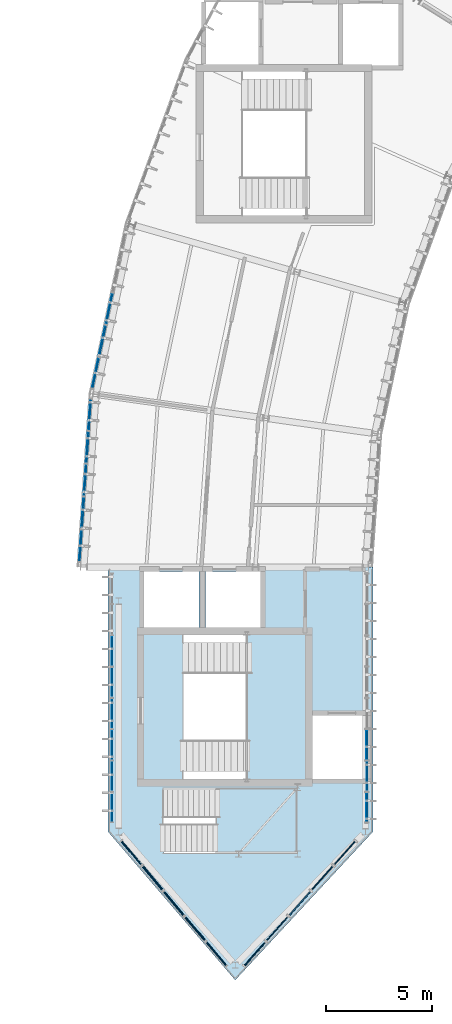
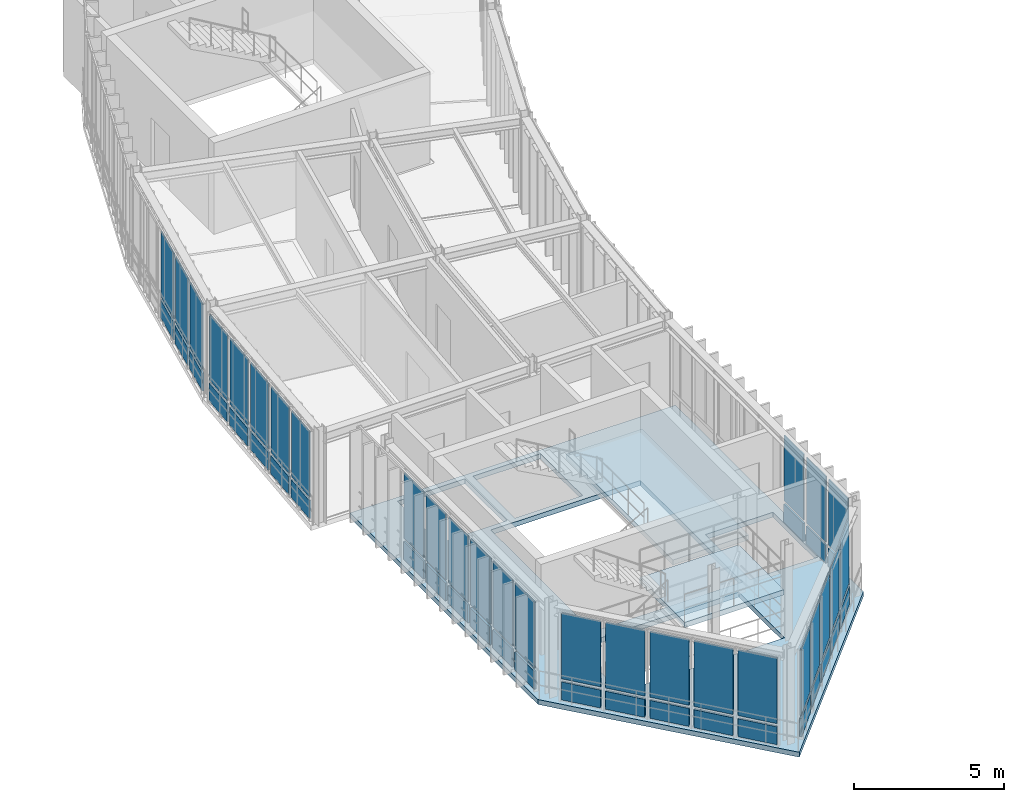
# One storey, part 16 of 42: 54 plates, 3 slabs, 8 elements without a shape of their own.
"""IFC4 building model written with IfcOpenShell, lengths in metres."""

from ifc_helpers import new_model, si_unit, direction, frame, origin, origin_2d, place, context, subcontext, project, spatial, polyline, rectangle, outline, extrude, material, layer, layer_set, type_object, element, aggregate, save


model = new_model("IFC4")

# Units and contexts
model_context = context("Model", 3, precision=1e-05, world=origin(), true_north=direction((0.0, 1.0)))
body_context = subcontext(model_context, "Body", "Model", "MODEL_VIEW")
ifc_project = project(units=[si_unit("LENGTHUNIT", "METRE"), si_unit("AREAUNIT", "SQUARE_METRE"), si_unit("VOLUMEUNIT", "CUBIC_METRE"), si_unit("PLANEANGLEUNIT", "RADIAN"), si_unit("MASSUNIT", "GRAM", prefix="KILO"), si_unit("THERMODYNAMICTEMPERATUREUNIT", "KELVIN"), si_unit("POWERUNIT", "WATT")], contexts=[model_context])

# Site, building, storey
site_placement = place(None, origin())
site = spatial("IfcSite", under=ifc_project, at=site_placement, CompositionType="ELEMENT")
building_placement = place(site_placement, origin())
building = spatial("IfcBuilding", under=site, at=building_placement, Name="Solvatero Civic Police Headquarters", CompositionType="ELEMENT")
storey_placement = place(building_placement, frame((0.0, 0.0, 21.60009765625)))
storey = spatial("IfcBuildingStorey", under=building, at=storey_placement, Name="L05", CompositionType="ELEMENT", Elevation=21.60009765625)

# Curtain wall, plates
ifc_material_1 = material(Name="Anodized Bronze Aluminium", Category="aluminium")
ifc_layer_1 = layer(ifc_material_1, 0.179931640625)
ifc_layer_set_1 = layer_set([ifc_layer_1], Name="Anodized Bronze Aluminium")
curtain_wall_type_1 = type_object("IfcCurtainWallType", Name="CW-ARC-OUT", PredefinedType="USERDEFINED", material=ifc_layer_set_1)
curtain_wall_1_placement = place(storey_placement, origin())
curtain_wall_1 = element("IfcCurtainWall", 1, at=curtain_wall_1_placement, inside=storey, type_object=curtain_wall_type_1, Name="Curtain Wall CW-R2-L05-ARC-OUT-B11", ObjectType="UNITISED", PredefinedType="USERDEFINED")
ifc_material_2 = material(Name="Triple Low-E Laminated Glass", Category="glass")
ifc_layer_2 = layer(ifc_material_2, 0.0380859375)
ifc_layer_set_2 = layer_set([ifc_layer_2], Name="Triple Low-E Laminated Glass")
plate_type_1 = type_object("IfcPlateType", Name="CWP-GLZ-38", PredefinedType="CURTAIN_PANEL", material=ifc_layer_set_2)
plate_1_placement = place(storey_placement, frame((36.5458984375, 38.207275390625, 0.909912109375), z_axis=(0.0, 0.0, 1.0), x_axis=(-0.207911690818, -0.978147600734, 0.0)))
plate_1 = element("IfcPlate", 2, at=plate_1_placement, type_object=plate_type_1, Name="CW-R2-L05-ARC-OUT-B11 Vision Glazing 3", PredefinedType="CURTAIN_PANEL", context=body_context, shape_type="SweptSolid", body=[
    extrude(rectangle(XDim=1.37841796875, YDim=0.0380859375, at=origin_2d()), origin(), (0.0, 0.0, 1.0), 2.669921875),
])
plate_2_placement = place(storey_placement, frame((35.89794921875, 35.158203125, 0.909912109375), z_axis=(0.0, 0.0, 1.0), x_axis=(-0.207911690818, -0.978147600734, 0.0)))
plate_2 = element("IfcPlate", 3, at=plate_2_placement, type_object=plate_type_1, Name="CW-R2-L05-ARC-OUT-B11 Vision Glazing 5", PredefinedType="CURTAIN_PANEL", context=body_context, shape_type="SweptSolid", body=[
    extrude(rectangle(XDim=1.37841796875, YDim=0.0380859375, at=origin_2d()), origin(), (0.0, 0.0, 1.0), 2.669921875),
])

curtain_wall_2_placement = place(storey_placement, origin())
curtain_wall_2 = element("IfcCurtainWall", 4, at=curtain_wall_2_placement, inside=storey, type_object=curtain_wall_type_1, Name="Curtain Wall CW-R2-L05-ARC-OUT-B12", ObjectType="UNITISED", PredefinedType="USERDEFINED")
plate_3_placement = place(storey_placement, frame((35.624267578125, 33.211669921875, 0.909912109375), z_axis=(0.0, 0.0, 1.0), x_axis=(-0.069739062956, -0.997565267588, 0.0)))
plate_3 = element("IfcPlate", 5, at=plate_3_placement, type_object=plate_type_1, Name="CW-R2-L05-ARC-OUT-B12 Vision Glazing 1", PredefinedType="CURTAIN_PANEL", context=body_context, shape_type="SweptSolid", body=[
    extrude(rectangle(XDim=1.37841796875, YDim=0.0380859375, at=origin_2d()), origin(), (0.0, 0.0, 1.0), 2.669921875),
])
plate_4_placement = place(storey_placement, frame((35.40673828125, 30.102294921875, 0.909912109375), z_axis=(0.0, 0.0, 1.0), x_axis=(-0.069739062956, -0.997565267588, 0.0)))
plate_4 = element("IfcPlate", 6, at=plate_4_placement, type_object=plate_type_1, Name="CW-R2-L05-ARC-OUT-B12 Vision Glazing 3", PredefinedType="CURTAIN_PANEL", context=body_context, shape_type="SweptSolid", body=[
    extrude(rectangle(XDim=1.37841796875, YDim=0.0380859375, at=origin_2d()), origin(), (0.0, 0.0, 1.0), 2.669921875),
])
plate_5_placement = place(storey_placement, frame((35.189453125, 26.992919921875, 0.909912109375), z_axis=(0.0, 0.0, 1.0), x_axis=(-0.069739062956, -0.997565267588, 0.0)))
plate_5 = element("IfcPlate", 7, at=plate_5_placement, type_object=plate_type_1, Name="CW-R2-L05-ARC-OUT-B12 Vision Glazing 5", PredefinedType="CURTAIN_PANEL", context=body_context, shape_type="SweptSolid", body=[
    extrude(rectangle(XDim=1.37841796875, YDim=0.0380859375, at=origin_2d()), origin(), (0.0, 0.0, 1.0), 2.669921875),
])

ifc_layer_3 = layer(ifc_material_1, 0.179931640625)
ifc_layer_set_3 = layer_set([ifc_layer_3], Name="Anodized Bronze Aluminium")
curtain_wall_type_2 = type_object("IfcCurtainWallType", Name="CW-PROW-GLZ", PredefinedType="USERDEFINED", material=ifc_layer_set_3)
curtain_wall_3_placement = place(storey_placement, origin())
curtain_wall_3 = element("IfcCurtainWall", 8, at=curtain_wall_3_placement, inside=storey, type_object=curtain_wall_type_2, Name="Curtain Wall CW-R2-L05-PROW-W", ObjectType="UNITISED", PredefinedType="USERDEFINED")
plate_6_placement = place(storey_placement, frame((36.679931640625, 22.043212890625, 0.909912109375), z_axis=(0.0, 0.0, 1.0), x_axis=(0.0, -1.0, 0.0)))
plate_6 = element("IfcPlate", 9, at=plate_6_placement, type_object=plate_type_1, Name="CW-R2-L05-PROW-W Vision Glazing 3", PredefinedType="CURTAIN_PANEL", context=body_context, shape_type="SweptSolid", body=[
    extrude(rectangle(XDim=1.298828125, YDim=0.0380859375, at=origin_2d()), origin(), (0.0, 0.0, 1.0), 2.669921875),
])
plate_7_placement = place(storey_placement, frame((36.679931640625, 19.085693359375, 0.909912109375), z_axis=(0.0, 0.0, 1.0), x_axis=(0.0, -1.0, 0.0)))
plate_7 = element("IfcPlate", 10, at=plate_7_placement, type_object=plate_type_1, Name="CW-R2-L05-PROW-W Vision Glazing 5", PredefinedType="CURTAIN_PANEL", context=body_context, shape_type="SweptSolid", body=[
    extrude(rectangle(XDim=1.298828125, YDim=0.0380859375, at=origin_2d()), origin(), (0.0, 0.0, 1.0), 2.669921875),
])
plate_8_placement = place(storey_placement, frame((36.679931640625, 16.128173828125, 0.909912109375), z_axis=(0.0, 0.0, 1.0), x_axis=(0.0, -1.0, 0.0)))
plate_8 = element("IfcPlate", 11, at=plate_8_placement, type_object=plate_type_1, Name="CW-R2-L05-PROW-W Vision Glazing 7", PredefinedType="CURTAIN_PANEL", context=body_context, shape_type="SweptSolid", body=[
    extrude(rectangle(XDim=1.298828125, YDim=0.0380859375, at=origin_2d()), origin(), (0.0, 0.0, 1.0), 2.669921875),
])

# Curtain wall, plate
curtain_wall_4_placement = place(storey_placement, origin())
curtain_wall_4 = element("IfcCurtainWall", 12, at=curtain_wall_4_placement, inside=storey, type_object=curtain_wall_type_2, Name="Curtain Wall CW-R2-L05-PROW-E", ObjectType="UNITISED", PredefinedType="USERDEFINED")
plate_9_placement = place(storey_placement, frame((48.719970703125, 16.128173828125, 0.909912109375), z_axis=(0.0, 0.0, 1.0), x_axis=(0.0, 1.0, 0.0)))
plate_9 = element("IfcPlate", 13, at=plate_9_placement, type_object=plate_type_1, Name="CW-R2-L05-PROW-E Vision Glazing 2", PredefinedType="CURTAIN_PANEL", context=body_context, shape_type="SweptSolid", body=[
    extrude(rectangle(XDim=1.298583984375, YDim=0.0380859375, at=origin_2d()), origin(), (0.0, 0.0, 1.0), 2.669921875),
])

# Curtain wall, plates
curtain_wall_5_placement = place(storey_placement, origin())
curtain_wall_5 = element("IfcCurtainWall", 14, at=curtain_wall_5_placement, inside=storey, type_object=curtain_wall_type_2, Name="Curtain Wall CW-R2-L05-PROW-SW", ObjectType="UNITISED", PredefinedType="USERDEFINED")
plate_10_placement = place(storey_placement, frame((37.5908203125, 12.50634765625, 0.909912109375), z_axis=(0.0, 0.0, 1.0), x_axis=(0.643282165541, -0.765629189293, 0.0)))
plate_10 = element("IfcPlate", 15, at=plate_10_placement, type_object=plate_type_1, Name="CW-R2-L05-PROW-SW Vision Glazing 1", PredefinedType="CURTAIN_PANEL", context=body_context, shape_type="SweptSolid", body=[
    extrude(rectangle(XDim=1.381591796875, YDim=0.0380859375, at=origin_2d()), origin(), (0.0, 0.0, 1.0), 2.669921875),
])
plate_11_placement = place(storey_placement, frame((39.60009765625, 10.114990234375, 0.909912109375), z_axis=(0.0, 0.0, 1.0), x_axis=(0.643282165541, -0.765629189293, 0.0)))
plate_11 = element("IfcPlate", 16, at=plate_11_placement, type_object=plate_type_1, Name="CW-R2-L05-PROW-SW Vision Glazing 3", PredefinedType="CURTAIN_PANEL", context=body_context, shape_type="SweptSolid", body=[
    extrude(rectangle(XDim=1.381591796875, YDim=0.0380859375, at=origin_2d()), origin(), (0.0, 0.0, 1.0), 2.669921875),
])
plate_12_placement = place(storey_placement, frame((41.609130859375, 7.723876953125, 0.909912109375), z_axis=(0.0, 0.0, 1.0), x_axis=(0.643282165541, -0.765629189293, 0.0)))
plate_12 = element("IfcPlate", 17, at=plate_12_placement, type_object=plate_type_1, Name="CW-R2-L05-PROW-SW Vision Glazing 5", PredefinedType="CURTAIN_PANEL", context=body_context, shape_type="SweptSolid", body=[
    extrude(rectangle(XDim=1.381591796875, YDim=0.0380859375, at=origin_2d()), origin(), (0.0, 0.0, 1.0), 2.669921875),
])

curtain_wall_6_placement = place(storey_placement, origin())
curtain_wall_6 = element("IfcCurtainWall", 18, at=curtain_wall_6_placement, inside=storey, type_object=curtain_wall_type_2, Name="Curtain Wall CW-R2-L05-PROW-SE", ObjectType="UNITISED", PredefinedType="USERDEFINED")
plate_13_placement = place(storey_placement, frame((44.486083984375, 8.9189453125, 0.909912109375), z_axis=(0.0, 0.0, 1.0), x_axis=(0.664656781592, 0.747148822313, 0.0)))
plate_13 = element("IfcPlate", 19, at=plate_13_placement, type_object=plate_type_1, Name="CW-R2-L05-PROW-SE Vision Glazing 2", PredefinedType="CURTAIN_PANEL", context=body_context, shape_type="SweptSolid", body=[
    extrude(rectangle(XDim=1.4208984375, YDim=0.0380859375, at=origin_2d()), origin(), (0.0, 0.0, 1.0), 2.669921875),
])
plate_14_placement = place(storey_placement, frame((46.614013671875, 11.31103515625, 0.909912109375), z_axis=(0.0, 0.0, 1.0), x_axis=(0.664656781592, 0.747148822313, 0.0)))
plate_14 = element("IfcPlate", 20, at=plate_14_placement, type_object=plate_type_1, Name="CW-R2-L05-PROW-SE Vision Glazing 4", PredefinedType="CURTAIN_PANEL", context=body_context, shape_type="SweptSolid", body=[
    extrude(rectangle(XDim=1.4208984375, YDim=0.0380859375, at=origin_2d()), origin(), (0.0, 0.0, 1.0), 2.669921875),
])

# Plate
ifc_material_3 = material(Name="Acoustic Ballistic Laminated Glass", Category="glass")
ifc_layer_4 = layer(ifc_material_3, 0.0439453125)
ifc_layer_set_4 = layer_set([ifc_layer_4], Name="Acoustic Ballistic Laminated Glass")
plate_type_2 = type_object("IfcPlateType", Name="CWP-GLZ-44", PredefinedType="CURTAIN_PANEL", material=ifc_layer_set_4)
plate_15_placement = place(storey_placement, frame((36.221923828125, 36.6826171875, 0.909912109375), z_axis=(0.0, 0.0, 1.0), x_axis=(-0.207911690818, -0.978147600734, 0.0)))
plate_15 = element("IfcPlate", 21, at=plate_15_placement, type_object=plate_type_2, Name="CW-R2-L05-ARC-OUT-B11 Vision Glazing 4", PredefinedType="CURTAIN_PANEL", context=body_context, shape_type="SweptSolid", body=[
    extrude(rectangle(XDim=1.37841796875, YDim=0.0439453125, at=origin_2d()), origin(), (0.0, 0.0, 1.0), 2.669921875),
])

plate_16_placement = place(storey_placement, frame((35.515380859375, 31.656982421875, 0.909912109375), z_axis=(0.0, 0.0, 1.0), x_axis=(-0.069739062956, -0.997565267588, 0.0)))
plate_16 = element("IfcPlate", 22, at=plate_16_placement, type_object=plate_type_2, Name="CW-R2-L05-ARC-OUT-B12 Vision Glazing 2", PredefinedType="CURTAIN_PANEL", context=body_context, shape_type="SweptSolid", body=[
    extrude(rectangle(XDim=1.37841796875, YDim=0.0439453125, at=origin_2d()), origin(), (0.0, 0.0, 1.0), 2.669921875),
])

plate_17_placement = place(storey_placement, frame((35.298095703125, 28.547607421875, 0.909912109375), z_axis=(0.0, 0.0, 1.0), x_axis=(-0.069739062956, -0.997565267588, 0.0)))
plate_17 = element("IfcPlate", 23, at=plate_17_placement, type_object=plate_type_2, Name="CW-R2-L05-ARC-OUT-B12 Vision Glazing 4", PredefinedType="CURTAIN_PANEL", context=body_context, shape_type="SweptSolid", body=[
    extrude(rectangle(XDim=1.37841796875, YDim=0.0439453125, at=origin_2d()), origin(), (0.0, 0.0, 1.0), 2.669921875),
])

plate_18_placement = place(storey_placement, frame((36.679931640625, 20.564453125, 0.909912109375), z_axis=(0.0, 0.0, 1.0), x_axis=(0.0, -1.0, 0.0)))
plate_18 = element("IfcPlate", 24, at=plate_18_placement, type_object=plate_type_2, Name="CW-R2-L05-PROW-W Vision Glazing 4", PredefinedType="CURTAIN_PANEL", context=body_context, shape_type="SweptSolid", body=[
    extrude(rectangle(XDim=1.298828125, YDim=0.0439453125, at=origin_2d()), origin(), (0.0, 0.0, 1.0), 2.669921875),
])

plate_19_placement = place(storey_placement, frame((36.679931640625, 17.60693359375, 0.909912109375), z_axis=(0.0, 0.0, 1.0), x_axis=(0.0, -1.0, 0.0)))
plate_19 = element("IfcPlate", 25, at=plate_19_placement, type_object=plate_type_2, Name="CW-R2-L05-PROW-W Vision Glazing 6", PredefinedType="CURTAIN_PANEL", context=body_context, shape_type="SweptSolid", body=[
    extrude(rectangle(XDim=1.298828125, YDim=0.0439453125, at=origin_2d()), origin(), (0.0, 0.0, 1.0), 2.669921875),
])

plate_20_placement = place(storey_placement, frame((36.679931640625, 14.6494140625, 0.909912109375), z_axis=(0.0, 0.0, 1.0), x_axis=(0.0, -1.0, 0.0)))
plate_20 = element("IfcPlate", 26, at=plate_20_placement, type_object=plate_type_2, Name="CW-R2-L05-PROW-W Vision Glazing 8", PredefinedType="CURTAIN_PANEL", context=body_context, shape_type="SweptSolid", body=[
    extrude(rectangle(XDim=1.298828125, YDim=0.0439453125, at=origin_2d()), origin(), (0.0, 0.0, 1.0), 2.669921875),
])

plate_21_placement = place(storey_placement, frame((48.719970703125, 14.6494140625, 0.909912109375), z_axis=(0.0, 0.0, 1.0), x_axis=(0.0, 1.0, 0.0)))
plate_21 = element("IfcPlate", 27, at=plate_21_placement, type_object=plate_type_2, Name="CW-R2-L05-PROW-E Vision Glazing 1", PredefinedType="CURTAIN_PANEL", context=body_context, shape_type="SweptSolid", body=[
    extrude(rectangle(XDim=1.298583984375, YDim=0.0439453125, at=origin_2d()), origin(), (0.0, 0.0, 1.0), 2.669921875),
])

plate_22_placement = place(storey_placement, frame((48.719970703125, 17.60693359375, 0.909912109375), z_axis=(0.0, 0.0, 1.0), x_axis=(0.0, 1.0, 0.0)))
plate_22 = element("IfcPlate", 28, at=plate_22_placement, type_object=plate_type_2, Name="CW-R2-L05-PROW-E Vision Glazing 3", PredefinedType="CURTAIN_PANEL", context=body_context, shape_type="SweptSolid", body=[
    extrude(rectangle(XDim=1.298828125, YDim=0.0439453125, at=origin_2d()), origin(), (0.0, 0.0, 1.0), 2.669921875),
])

plate_23_placement = place(storey_placement, frame((38.595458984375, 11.310791015625, 0.909912109375), z_axis=(0.0, 0.0, 1.0), x_axis=(0.643282165541, -0.765629189293, 0.0)))
plate_23 = element("IfcPlate", 29, at=plate_23_placement, type_object=plate_type_2, Name="CW-R2-L05-PROW-SW Vision Glazing 2", PredefinedType="CURTAIN_PANEL", context=body_context, shape_type="SweptSolid", body=[
    extrude(rectangle(XDim=1.381591796875, YDim=0.0439453125, at=origin_2d()), origin(), (0.0, 0.0, 1.0), 2.669921875),
])

plate_24_placement = place(storey_placement, frame((40.6044921875, 8.91943359375, 0.909912109375), z_axis=(0.0, 0.0, 1.0), x_axis=(0.643282165541, -0.765629189293, 0.0)))
plate_24 = element("IfcPlate", 30, at=plate_24_placement, type_object=plate_type_2, Name="CW-R2-L05-PROW-SW Vision Glazing 4", PredefinedType="CURTAIN_PANEL", context=body_context, shape_type="SweptSolid", body=[
    extrude(rectangle(XDim=1.381591796875, YDim=0.0439453125, at=origin_2d()), origin(), (0.0, 0.0, 1.0), 2.669921875),
])

plate_25_placement = place(storey_placement, frame((43.421875, 7.722900390625, 0.909912109375), z_axis=(0.0, 0.0, 1.0), x_axis=(0.664656781592, 0.747148822313, 0.0)))
plate_25 = element("IfcPlate", 31, at=plate_25_placement, type_object=plate_type_2, Name="CW-R2-L05-PROW-SE Vision Glazing 1", PredefinedType="CURTAIN_PANEL", context=body_context, shape_type="SweptSolid", body=[
    extrude(rectangle(XDim=1.4208984375, YDim=0.0439453125, at=origin_2d()), origin(), (0.0, 0.0, 1.0), 2.669921875),
])

plate_26_placement = place(storey_placement, frame((45.550048828125, 10.114990234375, 0.909912109375), z_axis=(0.0, 0.0, 1.0), x_axis=(0.664656781592, 0.747148822313, 0.0)))
plate_26 = element("IfcPlate", 32, at=plate_26_placement, type_object=plate_type_2, Name="CW-R2-L05-PROW-SE Vision Glazing 3", PredefinedType="CURTAIN_PANEL", context=body_context, shape_type="SweptSolid", body=[
    extrude(rectangle(XDim=1.4208984375, YDim=0.0439453125, at=origin_2d()), origin(), (0.0, 0.0, 1.0), 2.669921875),
])

plate_27_placement = place(storey_placement, frame((47.677978515625, 12.507080078125, 0.909912109375), z_axis=(0.0, 0.0, 1.0), x_axis=(0.664656781592, 0.747148822313, 0.0)))
plate_27 = element("IfcPlate", 33, at=plate_27_placement, type_object=plate_type_2, Name="CW-R2-L05-PROW-SE Vision Glazing 5", PredefinedType="CURTAIN_PANEL", context=body_context, shape_type="SweptSolid", body=[
    extrude(rectangle(XDim=1.4208984375, YDim=0.0439453125, at=origin_2d()), origin(), (0.0, 0.0, 1.0), 2.669921875),
])

ifc_material_4 = material(Name="Insulated Bronze Aluminium Spandrel", Category="aluminium")
ifc_layer_5 = layer(ifc_material_4, 0.06005859375)
ifc_layer_set_5 = layer_set([ifc_layer_5], Name="Insulated Bronze Aluminium Spandrel")
plate_type_3 = type_object("IfcPlateType", Name="CWP-SPN-60", PredefinedType="CURTAIN_PANEL", material=ifc_layer_set_5)
plate_28_placement = place(storey_placement, frame((36.5458984375, 38.207275390625, 0.059814453125), z_axis=(0.0, 0.0, 1.0), x_axis=(-0.207911690818, -0.978147600734, 0.0)))
plate_28 = element("IfcPlate", 34, at=plate_28_placement, type_object=plate_type_3, Name="CW-R2-L05-ARC-OUT-B11 Spandrel Panel 3", PredefinedType="CURTAIN_PANEL", context=body_context, shape_type="SweptSolid", body=[
    extrude(rectangle(XDim=1.37841796875, YDim=0.06005859375, at=origin_2d()), origin(), (0.0, 0.0, 1.0), 0.72998046875),
])

plate_29_placement = place(storey_placement, frame((35.89794921875, 35.158203125, 0.059814453125), z_axis=(0.0, 0.0, 1.0), x_axis=(-0.207911690818, -0.978147600734, 0.0)))
plate_29 = element("IfcPlate", 35, at=plate_29_placement, type_object=plate_type_3, Name="CW-R2-L05-ARC-OUT-B11 Spandrel Panel 5", PredefinedType="CURTAIN_PANEL", context=body_context, shape_type="SweptSolid", body=[
    extrude(rectangle(XDim=1.37841796875, YDim=0.06005859375, at=origin_2d()), origin(), (0.0, 0.0, 1.0), 0.72998046875),
])

plate_30_placement = place(storey_placement, frame((35.624267578125, 33.211669921875, 0.059814453125), z_axis=(0.0, 0.0, 1.0), x_axis=(-0.069739062956, -0.997565267588, 0.0)))
plate_30 = element("IfcPlate", 36, at=plate_30_placement, type_object=plate_type_3, Name="CW-R2-L05-ARC-OUT-B12 Spandrel Panel 1", PredefinedType="CURTAIN_PANEL", context=body_context, shape_type="SweptSolid", body=[
    extrude(rectangle(XDim=1.37841796875, YDim=0.06005859375, at=origin_2d()), origin(), (0.0, 0.0, 1.0), 0.72998046875),
])

plate_31_placement = place(storey_placement, frame((35.40673828125, 30.102294921875, 0.059814453125), z_axis=(0.0, 0.0, 1.0), x_axis=(-0.069739062956, -0.997565267588, 0.0)))
plate_31 = element("IfcPlate", 37, at=plate_31_placement, type_object=plate_type_3, Name="CW-R2-L05-ARC-OUT-B12 Spandrel Panel 3", PredefinedType="CURTAIN_PANEL", context=body_context, shape_type="SweptSolid", body=[
    extrude(rectangle(XDim=1.37841796875, YDim=0.06005859375, at=origin_2d()), origin(), (0.0, 0.0, 1.0), 0.72998046875),
])

plate_32_placement = place(storey_placement, frame((35.189453125, 26.992919921875, 0.059814453125), z_axis=(0.0, 0.0, 1.0), x_axis=(-0.069739062956, -0.997565267588, 0.0)))
plate_32 = element("IfcPlate", 38, at=plate_32_placement, type_object=plate_type_3, Name="CW-R2-L05-ARC-OUT-B12 Spandrel Panel 5", PredefinedType="CURTAIN_PANEL", context=body_context, shape_type="SweptSolid", body=[
    extrude(rectangle(XDim=1.37841796875, YDim=0.06005859375, at=origin_2d()), origin(), (0.0, 0.0, 1.0), 0.72998046875),
])

plate_33_placement = place(storey_placement, frame((36.679931640625, 22.043212890625, 0.059814453125), z_axis=(0.0, 0.0, 1.0), x_axis=(0.0, -1.0, 0.0)))
plate_33 = element("IfcPlate", 39, at=plate_33_placement, type_object=plate_type_3, Name="CW-R2-L05-PROW-W Spandrel Panel 3", PredefinedType="CURTAIN_PANEL", context=body_context, shape_type="SweptSolid", body=[
    extrude(rectangle(XDim=1.298828125, YDim=0.06005859375, at=origin_2d()), origin(), (0.0, 0.0, 1.0), 0.72998046875),
])

plate_34_placement = place(storey_placement, frame((36.679931640625, 19.085693359375, 0.059814453125), z_axis=(0.0, 0.0, 1.0), x_axis=(0.0, -1.0, 0.0)))
plate_34 = element("IfcPlate", 40, at=plate_34_placement, type_object=plate_type_3, Name="CW-R2-L05-PROW-W Spandrel Panel 5", PredefinedType="CURTAIN_PANEL", context=body_context, shape_type="SweptSolid", body=[
    extrude(rectangle(XDim=1.298828125, YDim=0.06005859375, at=origin_2d()), origin(), (0.0, 0.0, 1.0), 0.72998046875),
])

plate_35_placement = place(storey_placement, frame((36.679931640625, 16.128173828125, 0.059814453125), z_axis=(0.0, 0.0, 1.0), x_axis=(0.0, -1.0, 0.0)))
plate_35 = element("IfcPlate", 41, at=plate_35_placement, type_object=plate_type_3, Name="CW-R2-L05-PROW-W Spandrel Panel 7", PredefinedType="CURTAIN_PANEL", context=body_context, shape_type="SweptSolid", body=[
    extrude(rectangle(XDim=1.298828125, YDim=0.06005859375, at=origin_2d()), origin(), (0.0, 0.0, 1.0), 0.72998046875),
])

plate_36_placement = place(storey_placement, frame((48.719970703125, 16.128173828125, 0.059814453125), z_axis=(0.0, 0.0, 1.0), x_axis=(0.0, 1.0, 0.0)))
plate_36 = element("IfcPlate", 42, at=plate_36_placement, type_object=plate_type_3, Name="CW-R2-L05-PROW-E Spandrel Panel 2", PredefinedType="CURTAIN_PANEL", context=body_context, shape_type="SweptSolid", body=[
    extrude(rectangle(XDim=1.298583984375, YDim=0.06005859375, at=origin_2d()), origin(), (0.0, 0.0, 1.0), 0.72998046875),
])

plate_37_placement = place(storey_placement, frame((37.5908203125, 12.50634765625, 0.059814453125), z_axis=(0.0, 0.0, 1.0), x_axis=(0.643282165541, -0.765629189293, 0.0)))
plate_37 = element("IfcPlate", 43, at=plate_37_placement, type_object=plate_type_3, Name="CW-R2-L05-PROW-SW Spandrel Panel 1", PredefinedType="CURTAIN_PANEL", context=body_context, shape_type="SweptSolid", body=[
    extrude(rectangle(XDim=1.381591796875, YDim=0.06005859375, at=origin_2d()), origin(), (0.0, 0.0, 1.0), 0.72998046875),
])

plate_38_placement = place(storey_placement, frame((39.60009765625, 10.114990234375, 0.059814453125), z_axis=(0.0, 0.0, 1.0), x_axis=(0.643282165541, -0.765629189293, 0.0)))
plate_38 = element("IfcPlate", 44, at=plate_38_placement, type_object=plate_type_3, Name="CW-R2-L05-PROW-SW Spandrel Panel 3", PredefinedType="CURTAIN_PANEL", context=body_context, shape_type="SweptSolid", body=[
    extrude(rectangle(XDim=1.381591796875, YDim=0.06005859375, at=origin_2d()), origin(), (0.0, 0.0, 1.0), 0.72998046875),
])

plate_39_placement = place(storey_placement, frame((41.609130859375, 7.723876953125, 0.059814453125), z_axis=(0.0, 0.0, 1.0), x_axis=(0.643282165541, -0.765629189293, 0.0)))
plate_39 = element("IfcPlate", 45, at=plate_39_placement, type_object=plate_type_3, Name="CW-R2-L05-PROW-SW Spandrel Panel 5", PredefinedType="CURTAIN_PANEL", context=body_context, shape_type="SweptSolid", body=[
    extrude(rectangle(XDim=1.381591796875, YDim=0.06005859375, at=origin_2d()), origin(), (0.0, 0.0, 1.0), 0.72998046875),
])

plate_40_placement = place(storey_placement, frame((44.486083984375, 8.9189453125, 0.059814453125), z_axis=(0.0, 0.0, 1.0), x_axis=(0.664656781592, 0.747148822313, 0.0)))
plate_40 = element("IfcPlate", 46, at=plate_40_placement, type_object=plate_type_3, Name="CW-R2-L05-PROW-SE Spandrel Panel 2", PredefinedType="CURTAIN_PANEL", context=body_context, shape_type="SweptSolid", body=[
    extrude(rectangle(XDim=1.4208984375, YDim=0.06005859375, at=origin_2d()), origin(), (0.0, 0.0, 1.0), 0.72998046875),
])

plate_41_placement = place(storey_placement, frame((46.614013671875, 11.31103515625, 0.059814453125), z_axis=(0.0, 0.0, 1.0), x_axis=(0.664656781592, 0.747148822313, 0.0)))
plate_41 = element("IfcPlate", 47, at=plate_41_placement, type_object=plate_type_3, Name="CW-R2-L05-PROW-SE Spandrel Panel 4", PredefinedType="CURTAIN_PANEL", context=body_context, shape_type="SweptSolid", body=[
    extrude(rectangle(XDim=1.4208984375, YDim=0.06005859375, at=origin_2d()), origin(), (0.0, 0.0, 1.0), 0.72998046875),
])

ifc_material_5 = material(Name="Limestone Veneer Spandrel Panel", Category="masonry")
ifc_layer_6 = layer(ifc_material_5, 0.074951171875)
ifc_layer_set_6 = layer_set([ifc_layer_6], Name="Limestone Veneer Spandrel Panel")
plate_type_4 = type_object("IfcPlateType", Name="CWP-SPN-75", PredefinedType="CURTAIN_PANEL", material=ifc_layer_set_6)
plate_42_placement = place(storey_placement, frame((36.221923828125, 36.6826171875, 0.059814453125), z_axis=(0.0, 0.0, 1.0), x_axis=(-0.207911690818, -0.978147600734, 0.0)))
plate_42 = element("IfcPlate", 48, at=plate_42_placement, type_object=plate_type_4, Name="CW-R2-L05-ARC-OUT-B11 Spandrel Panel 4", PredefinedType="CURTAIN_PANEL", context=body_context, shape_type="SweptSolid", body=[
    extrude(rectangle(XDim=1.37841796875, YDim=0.074951171875, at=origin_2d()), origin(), (0.0, 0.0, 1.0), 0.72998046875),
])

aggregate(curtain_wall_1, [plate_28, plate_1, plate_42, plate_15, plate_29, plate_2])

plate_43_placement = place(storey_placement, frame((35.515380859375, 31.656982421875, 0.059814453125), z_axis=(0.0, 0.0, 1.0), x_axis=(-0.069739062956, -0.997565267588, 0.0)))
plate_43 = element("IfcPlate", 49, at=plate_43_placement, type_object=plate_type_4, Name="CW-R2-L05-ARC-OUT-B12 Spandrel Panel 2", PredefinedType="CURTAIN_PANEL", context=body_context, shape_type="SweptSolid", body=[
    extrude(rectangle(XDim=1.37841796875, YDim=0.074951171875, at=origin_2d()), origin(), (0.0, 0.0, 1.0), 0.72998046875),
])

plate_44_placement = place(storey_placement, frame((35.298095703125, 28.547607421875, 0.059814453125), z_axis=(0.0, 0.0, 1.0), x_axis=(-0.069739062956, -0.997565267588, 0.0)))
plate_44 = element("IfcPlate", 50, at=plate_44_placement, type_object=plate_type_4, Name="CW-R2-L05-ARC-OUT-B12 Spandrel Panel 4", PredefinedType="CURTAIN_PANEL", context=body_context, shape_type="SweptSolid", body=[
    extrude(rectangle(XDim=1.37841796875, YDim=0.074951171875, at=origin_2d()), origin(), (0.0, 0.0, 1.0), 0.72998046875),
])

aggregate(curtain_wall_2, [plate_30, plate_3, plate_43, plate_16, plate_31, plate_4, plate_44, plate_17, plate_32, plate_5])

plate_45_placement = place(storey_placement, frame((36.679931640625, 20.564453125, 0.059814453125), z_axis=(0.0, 0.0, 1.0), x_axis=(0.0, -1.0, 0.0)))
plate_45 = element("IfcPlate", 51, at=plate_45_placement, type_object=plate_type_4, Name="CW-R2-L05-PROW-W Spandrel Panel 4", PredefinedType="CURTAIN_PANEL", context=body_context, shape_type="SweptSolid", body=[
    extrude(rectangle(XDim=1.298828125, YDim=0.074951171875, at=origin_2d()), origin(), (0.0, 0.0, 1.0), 0.72998046875),
])

plate_46_placement = place(storey_placement, frame((36.679931640625, 17.60693359375, 0.059814453125), z_axis=(0.0, 0.0, 1.0), x_axis=(0.0, -1.0, 0.0)))
plate_46 = element("IfcPlate", 52, at=plate_46_placement, type_object=plate_type_4, Name="CW-R2-L05-PROW-W Spandrel Panel 6", PredefinedType="CURTAIN_PANEL", context=body_context, shape_type="SweptSolid", body=[
    extrude(rectangle(XDim=1.298828125, YDim=0.074951171875, at=origin_2d()), origin(), (0.0, 0.0, 1.0), 0.72998046875),
])

plate_47_placement = place(storey_placement, frame((36.679931640625, 14.6494140625, 0.059814453125), z_axis=(0.0, 0.0, 1.0), x_axis=(0.0, -1.0, 0.0)))
plate_47 = element("IfcPlate", 53, at=plate_47_placement, type_object=plate_type_4, Name="CW-R2-L05-PROW-W Spandrel Panel 8", PredefinedType="CURTAIN_PANEL", context=body_context, shape_type="SweptSolid", body=[
    extrude(rectangle(XDim=1.298828125, YDim=0.074951171875, at=origin_2d()), origin(), (0.0, 0.0, 1.0), 0.72998046875),
])

aggregate(curtain_wall_3, [plate_33, plate_6, plate_45, plate_18, plate_34, plate_7, plate_46, plate_19, plate_35, plate_8, plate_47, plate_20])

plate_48_placement = place(storey_placement, frame((48.719970703125, 14.6494140625, 0.059814453125), z_axis=(0.0, 0.0, 1.0), x_axis=(0.0, 1.0, 0.0)))
plate_48 = element("IfcPlate", 54, at=plate_48_placement, type_object=plate_type_4, Name="CW-R2-L05-PROW-E Spandrel Panel 1", PredefinedType="CURTAIN_PANEL", context=body_context, shape_type="SweptSolid", body=[
    extrude(rectangle(XDim=1.298583984375, YDim=0.074951171875, at=origin_2d()), origin(), (0.0, 0.0, 1.0), 0.72998046875),
])

plate_49_placement = place(storey_placement, frame((48.719970703125, 17.60693359375, 0.059814453125), z_axis=(0.0, 0.0, 1.0), x_axis=(0.0, 1.0, 0.0)))
plate_49 = element("IfcPlate", 55, at=plate_49_placement, type_object=plate_type_4, Name="CW-R2-L05-PROW-E Spandrel Panel 3", PredefinedType="CURTAIN_PANEL", context=body_context, shape_type="SweptSolid", body=[
    extrude(rectangle(XDim=1.298828125, YDim=0.074951171875, at=origin_2d()), origin(), (0.0, 0.0, 1.0), 0.72998046875),
])

aggregate(curtain_wall_4, [plate_48, plate_21, plate_36, plate_9, plate_49, plate_22])

plate_50_placement = place(storey_placement, frame((38.595458984375, 11.310791015625, 0.059814453125), z_axis=(0.0, 0.0, 1.0), x_axis=(0.643282165541, -0.765629189293, 0.0)))
plate_50 = element("IfcPlate", 56, at=plate_50_placement, type_object=plate_type_4, Name="CW-R2-L05-PROW-SW Spandrel Panel 2", PredefinedType="CURTAIN_PANEL", context=body_context, shape_type="SweptSolid", body=[
    extrude(rectangle(XDim=1.381591796875, YDim=0.074951171875, at=origin_2d()), origin(), (0.0, 0.0, 1.0), 0.72998046875),
])

plate_51_placement = place(storey_placement, frame((40.6044921875, 8.91943359375, 0.059814453125), z_axis=(0.0, 0.0, 1.0), x_axis=(0.643282165541, -0.765629189293, 0.0)))
plate_51 = element("IfcPlate", 57, at=plate_51_placement, type_object=plate_type_4, Name="CW-R2-L05-PROW-SW Spandrel Panel 4", PredefinedType="CURTAIN_PANEL", context=body_context, shape_type="SweptSolid", body=[
    extrude(rectangle(XDim=1.381591796875, YDim=0.074951171875, at=origin_2d()), origin(), (0.0, 0.0, 1.0), 0.72998046875),
])

aggregate(curtain_wall_5, [plate_37, plate_10, plate_50, plate_23, plate_38, plate_11, plate_51, plate_24, plate_39, plate_12])

plate_52_placement = place(storey_placement, frame((43.421875, 7.722900390625, 0.059814453125), z_axis=(0.0, 0.0, 1.0), x_axis=(0.664656781592, 0.747148822313, 0.0)))
plate_52 = element("IfcPlate", 58, at=plate_52_placement, type_object=plate_type_4, Name="CW-R2-L05-PROW-SE Spandrel Panel 1", PredefinedType="CURTAIN_PANEL", context=body_context, shape_type="SweptSolid", body=[
    extrude(rectangle(XDim=1.4208984375, YDim=0.074951171875, at=origin_2d()), origin(), (0.0, 0.0, 1.0), 0.72998046875),
])

plate_53_placement = place(storey_placement, frame((45.550048828125, 10.114990234375, 0.059814453125), z_axis=(0.0, 0.0, 1.0), x_axis=(0.664656781592, 0.747148822313, 0.0)))
plate_53 = element("IfcPlate", 59, at=plate_53_placement, type_object=plate_type_4, Name="CW-R2-L05-PROW-SE Spandrel Panel 3", PredefinedType="CURTAIN_PANEL", context=body_context, shape_type="SweptSolid", body=[
    extrude(rectangle(XDim=1.4208984375, YDim=0.074951171875, at=origin_2d()), origin(), (0.0, 0.0, 1.0), 0.72998046875),
])

plate_54_placement = place(storey_placement, frame((47.677978515625, 12.507080078125, 0.059814453125), z_axis=(0.0, 0.0, 1.0), x_axis=(0.664656781592, 0.747148822313, 0.0)))
plate_54 = element("IfcPlate", 60, at=plate_54_placement, type_object=plate_type_4, Name="CW-R2-L05-PROW-SE Spandrel Panel 5", PredefinedType="CURTAIN_PANEL", context=body_context, shape_type="SweptSolid", body=[
    extrude(rectangle(XDim=1.4208984375, YDim=0.074951171875, at=origin_2d()), origin(), (0.0, 0.0, 1.0), 0.72998046875),
])

aggregate(curtain_wall_6, [plate_52, plate_25, plate_40, plate_13, plate_53, plate_26, plate_41, plate_14, plate_54, plate_27])

# Slab
ifc_material_6 = material(Name="Concrete C35/45", Category="concrete")
ifc_layer_7 = layer(ifc_material_6, 0.199951171875)
ifc_layer_set_7 = layer_set([ifc_layer_7], Name="Concrete C35/45")
slab_type_1 = type_object("IfcSlabType", Name="SLB-COMP-200", PredefinedType="FLOOR", material=ifc_layer_set_7)
slab_1_placement = place(storey_placement, frame((0.0, 0.0, -0.2001953125)))
element("IfcSlab", 61, at=slab_1_placement, inside=storey, type_object=slab_type_1, Name="L05 South-West Prow Floor Slab", PredefinedType="FLOOR", context=body_context, shape_type="SweptSolid", body=[
    extrude(outline(polyline([(49.0, 13.5), (42.5, 6.5), (36.5, 13.5), (36.5, 26.0), (49.0, 26.0), (49.0, 13.5)]), holes=[polyline([(39.10009765625, 12.5), (45.39990234375, 12.5), (45.39990234375, 15.550048828125), (39.10009765625, 15.550048828125), (39.10009765625, 12.5)]), polyline([(46.10009765625, 16.0), (48.699951171875, 16.0), (48.699951171875, 19.0), (46.10009765625, 19.0), (46.10009765625, 16.0)]), polyline([(40.06005859375, 16.0), (45.800048828125, 16.0), (45.800048828125, 22.800048828125), (40.06005859375, 22.800048828125), (40.06005859375, 16.0)]), polyline([(38.199951171875, 25.800048828125), (38.199951171875, 23.0), (40.800048828125, 23.0), (40.800048828125, 25.800048828125), (38.199951171875, 25.800048828125)]), polyline([(41.10009765625, 25.800048828125), (41.10009765625, 23.0), (43.699951171875, 23.0), (43.699951171875, 25.800048828125), (41.10009765625, 25.800048828125)])]), origin(), (0.0, 0.0, 1.0), 0.2001953125),
])

# Stair, slab
ifc_material_7 = material(Name="Precast concrete C40/50", Category="concrete")
stair_type_1 = type_object("IfcStairType", Name="STR-C150-390", PredefinedType="HALF_TURN_STAIR", material=ifc_material_7)
stair_1_placement = place(storey_placement, origin())
stair_1 = element("IfcStair", 62, at=stair_1_placement, inside=storey, type_object=stair_type_1, Name="Protected Exit Stair ST-C1 (L05 to L06)", PredefinedType="HALF_TURN_STAIR")
ifc_layer_8 = layer(ifc_material_7, 0.199951171875)
ifc_layer_set_8 = layer_set([ifc_layer_8], Name="Precast concrete C40/50")
slab_type_2 = type_object("IfcSlabType", Name="SLB-LND-200", PredefinedType="LANDING", material=ifc_layer_set_8)
slab_2_placement = place(storey_placement, frame((0.0, 0.0, 1.75)))
slab_2 = element("IfcSlab", 63, at=slab_2_placement, type_object=slab_type_2, Name="ST-C1 L05 Half-Landing", PredefinedType="LANDING", context=body_context, shape_type="SweptSolid", body=[
    extrude(outline(polyline([(43.0400390625, 15.85009765625), (45.949951171875, 15.85009765625), (45.949951171875, 22.949951171875), (43.0400390625, 22.949951171875), (43.0400390625, 15.85009765625)])), origin(), (0.0, 0.0, 1.0), 0.199951171875),
])
aggregate(stair_1, [slab_2])

stair_type_2 = type_object("IfcStairType", Name="STR-PRW-390", PredefinedType="HALF_TURN_STAIR", material=ifc_material_7)
stair_2_placement = place(storey_placement, origin())
stair_2 = element("IfcStair", 64, at=stair_2_placement, inside=storey, type_object=stair_type_2, Name="Glazed Prow Ceremonial Stair (L05 to L06)", PredefinedType="HALF_TURN_STAIR")
ifc_layer_9 = layer(ifc_material_7, 0.215087890625)
ifc_layer_set_9 = layer_set([ifc_layer_9], Name="Precast concrete C40/50")
slab_type_3 = type_object("IfcSlabType", Name="SLB-LND-215", PredefinedType="LANDING", material=ifc_layer_set_9)
slab_3_placement = place(storey_placement, frame((0.0, 0.0, 1.73486328125)))
slab_3 = element("IfcSlab", 65, at=slab_3_placement, type_object=slab_type_3, Name="ST-PRW L05 Glazed Prow Half-Landing", PredefinedType="LANDING", context=body_context, shape_type="SweptSolid", body=[
    extrude(outline(polyline([(41.570068359375, 12.52001953125), (45.3798828125, 12.52001953125), (45.3798828125, 15.530029296875), (41.570068359375, 15.530029296875), (41.570068359375, 12.52001953125)])), origin(), (0.0, 0.0, 1.0), 0.215087890625),
])
aggregate(stair_2, [slab_3])

save(model, "model.ifc")
